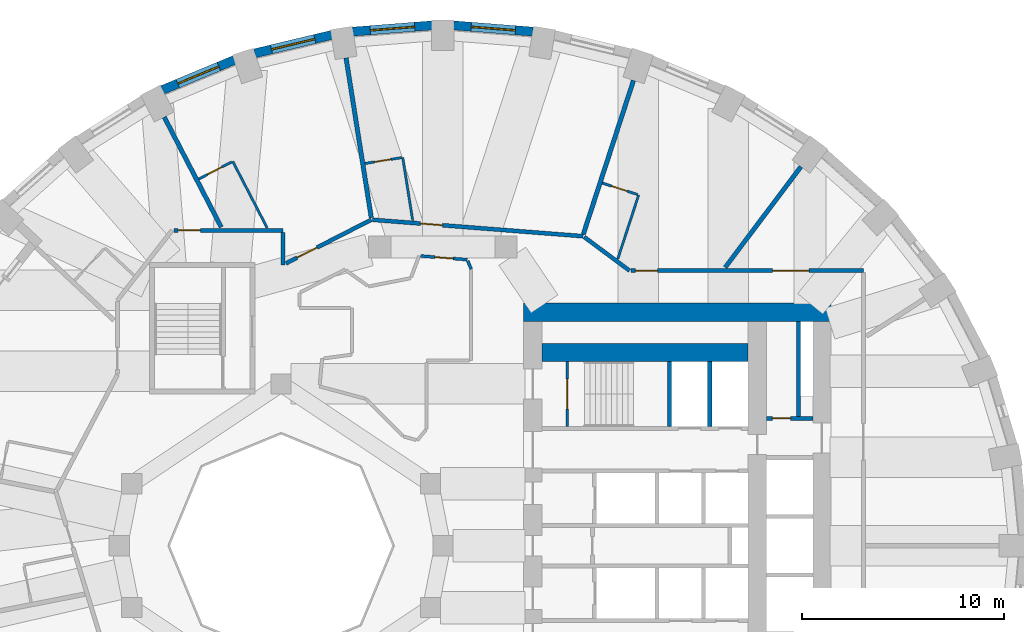
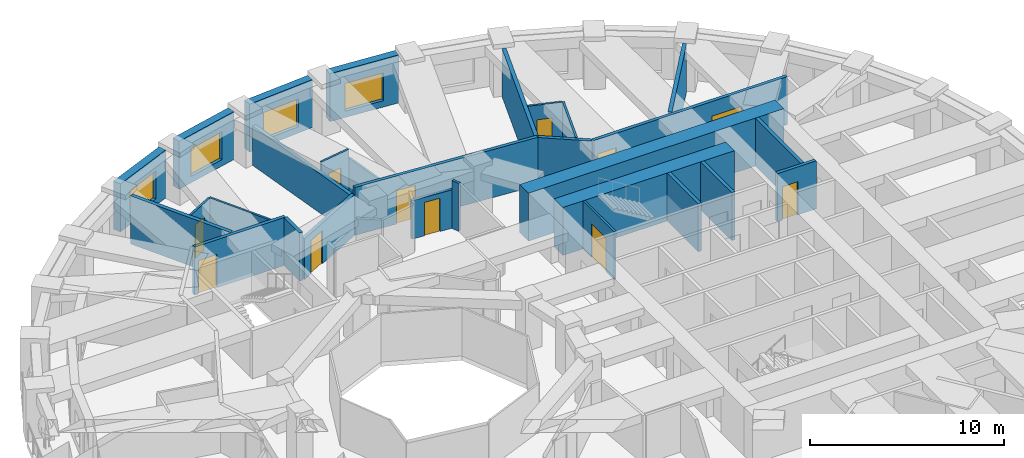
# One storey, part 8 of 13: 29 walls, 11 doors, 4 windows, 15 openings.
"""IFC4 building model written with IfcOpenShell, lengths in metres."""

from ifc_helpers import new_model, si_unit, direction, frame, frame_2d, origin, place, context, subcontext, project, spatial, rectangle, extrude, material, layer, layer_set, type_object, element, fill, save


model = new_model("IFC4")

# Units and contexts
model_context = context("Model", 3, precision=1e-05, world=origin(), true_north=direction((0.0, 1.0)))
body_context = subcontext(model_context, "Body", "Model", "MODEL_VIEW")
ifc_project = project(units=[si_unit("LENGTHUNIT", "METRE"), si_unit("AREAUNIT", "SQUARE_METRE"), si_unit("VOLUMEUNIT", "CUBIC_METRE"), si_unit("PLANEANGLEUNIT", "RADIAN"), si_unit("MASSUNIT", "GRAM", prefix="KILO")], contexts=[model_context])

# Site, building, storey
site_placement = place(None, origin())
site = spatial("IfcSite", under=ifc_project, at=site_placement, CompositionType="ELEMENT")
building_placement = place(site_placement, origin())
building = spatial("IfcBuilding", under=site, at=building_placement, Name="Taillehof Tower", CompositionType="ELEMENT")
storey_placement = place(building_placement, frame((0.0, 0.0, 38.199951171875)))
storey = spatial("IfcBuildingStorey", under=building, at=storey_placement, Name="L09", CompositionType="ELEMENT", Elevation=38.199951171875)

# Wall, opening, window
ifc_material_1 = material(Name="Brick masonry", Category="masonry")
ifc_layer_1 = layer(ifc_material_1, 0.449951171875)
ifc_layer_set_1 = layer_set([ifc_layer_1], Name="Brick infill wall 450")
wall_type_1 = type_object("IfcWallType", Name="Brick infill wall 450", PredefinedType="SOLIDWALL", material=ifc_layer_set_1)
wall_1_placement = place(storey_placement, frame((4.457275390625, 25.42578125, 0.0), z_axis=(0.0, 0.0, 1.0), x_axis=(-0.996955972145, 0.077966592873, 0.0)))
wall_1 = element("IfcWall", 1, at=wall_1_placement, inside=storey, type_object=wall_type_1, Name="Brick wall L09 bay 9", PredefinedType="SOLIDWALL", context=body_context, shape_type="SweptSolid", body=[
    extrude(rectangle(XDim=3.939208984375, YDim=0.449951171875, at=frame_2d((1.9697265625, 0.0))), origin(), (0.0, 0.0, 1.0), 3.02001953125),
])
opening_1_placement = place(wall_1_placement, frame((0.86962890625, 0.0, 0.39990234375)))
opening_1 = element("IfcOpeningElement", 2, at=opening_1_placement, cuts=wall_1, Name="Opening W1", PredefinedType="OPENING", context=body_context, shape_type="SweptSolid", body=[
    extrude(rectangle(XDim=2.199951171875, YDim=1.75, at=frame_2d((1.10009765625, 0.875))), frame((0.0, 0.23486328125, 0.0), z_axis=(0.0, -1.0, 0.0), x_axis=(1.0, 0.0, 0.0)), (0.0, 0.0, 1.0), 0.469970703125),
])
ifc_material_2 = material(Name="Aluminium window frame with clear double glazing", Category="aluminium")
window_type = type_object("IfcWindowType", Name="Deep-set window 2200x1750", PartitioningType="SINGLE_PANEL", PredefinedType="WINDOW", material=ifc_material_2)
window_1_placement = place(opening_1_placement, origin())
window_1 = element("IfcWindow", 3, at=window_1_placement, inside=storey, type_object=window_type, Name="W1", OverallHeight=1.75, OverallWidth=2.199951171875, PartitioningType="SINGLE_PANEL", PredefinedType="WINDOW", context=body_context, shape_type="SweptSolid", body=[
    extrude(rectangle(XDim=2.199951171875, YDim=1.75, at=frame_2d((1.10009765625, 0.875))), frame((0.0, 0.034912109375, 0.0), z_axis=(0.0, -1.0, 0.0), x_axis=(1.0, 0.0, 0.0)), (0.0, 0.0, 1.0), 0.06005859375),
])
fill(opening_1, window_1)

wall_2_placement = place(storey_placement, frame((-0.530029296875, 25.73291015625, 0.0), z_axis=(0.0, 0.0, 1.0), x_axis=(-0.996955972145, -0.077966592873, 0.0)))
wall_2 = element("IfcWall", 4, at=wall_2_placement, inside=storey, type_object=wall_type_1, Name="Brick wall L09 bay 10", PredefinedType="SOLIDWALL", context=body_context, shape_type="SweptSolid", body=[
    extrude(rectangle(XDim=3.939208984375, YDim=0.449951171875, at=frame_2d((1.9697265625, 0.0))), origin(), (0.0, 0.0, 1.0), 3.02001953125),
])
opening_2_placement = place(wall_2_placement, frame((0.86962890625, 0.0, 0.39990234375)))
opening_2 = element("IfcOpeningElement", 5, at=opening_2_placement, cuts=wall_2, Name="Opening W1", PredefinedType="OPENING", context=body_context, shape_type="SweptSolid", body=[
    extrude(rectangle(XDim=2.199951171875, YDim=1.75, at=frame_2d((1.10009765625, 0.875))), frame((0.0, 0.23486328125, 0.0), z_axis=(0.0, -1.0, 0.0), x_axis=(1.0, 0.0, 0.0)), (0.0, 0.0, 1.0), 0.469970703125),
])
window_2_placement = place(opening_2_placement, origin())
window_2 = element("IfcWindow", 6, at=window_2_placement, inside=storey, type_object=window_type, Name="W1", OverallHeight=1.75, OverallWidth=2.199951171875, PartitioningType="SINGLE_PANEL", PredefinedType="WINDOW", context=body_context, shape_type="SweptSolid", body=[
    extrude(rectangle(XDim=2.199951171875, YDim=1.75, at=frame_2d((1.10009765625, 0.875))), frame((0.0, 0.034912109375, 0.0), z_axis=(0.0, -1.0, 0.0), x_axis=(1.0, 0.0, 0.0)), (0.0, 0.0, 1.0), 0.06005859375),
])
fill(opening_2, window_2)

wall_3_placement = place(storey_placement, frame((-5.50439453125, 25.260498046875, 0.0), z_axis=(0.0, 0.0, 1.0), x_axis=(-0.972496561493, -0.232917233979, 0.0)))
wall_3 = element("IfcWall", 7, at=wall_3_placement, inside=storey, type_object=wall_type_1, Name="Brick wall L09 bay 11", PredefinedType="SOLIDWALL", context=body_context, shape_type="SweptSolid", body=[
    extrude(rectangle(XDim=3.910888671875, YDim=0.449951171875, at=frame_2d((1.95556640625, 0.0))), origin(), (0.0, 0.0, 1.0), 3.02001953125),
])
opening_3_placement = place(wall_3_placement, frame((0.855224609375, 0.0, 0.39990234375)))
opening_3 = element("IfcOpeningElement", 8, at=opening_3_placement, cuts=wall_3, Name="Opening W1", PredefinedType="OPENING", context=body_context, shape_type="SweptSolid", body=[
    extrude(rectangle(XDim=2.199951171875, YDim=1.75, at=frame_2d((1.10009765625, 0.875))), frame((0.0, 0.23486328125, 0.0), z_axis=(0.0, -1.0, 0.0), x_axis=(1.0, 0.0, 0.0)), (0.0, 0.0, 1.0), 0.469970703125),
])
window_3_placement = place(opening_3_placement, origin())
window_3 = element("IfcWindow", 9, at=window_3_placement, inside=storey, type_object=window_type, Name="W1", OverallHeight=1.75, OverallWidth=2.199951171875, PartitioningType="SINGLE_PANEL", PredefinedType="WINDOW", context=body_context, shape_type="SweptSolid", body=[
    extrude(rectangle(XDim=2.199951171875, YDim=1.75, at=frame_2d((1.10009765625, 0.875))), frame((0.0, 0.034912109375, 0.0), z_axis=(0.0, -1.0, 0.0), x_axis=(1.0, 0.0, 0.0)), (0.0, 0.0, 1.0), 0.06005859375),
])
fill(opening_3, window_3)

wall_4_placement = place(storey_placement, frame((-10.3154296875, 24.02099609375, 0.0), z_axis=(0.0, 0.0, 1.0), x_axis=(-0.923031964282, -0.384723267966, 0.0)))
wall_4 = element("IfcWall", 10, at=wall_4_placement, inside=storey, type_object=wall_type_1, Name="Brick wall L09 bay 12", PredefinedType="SOLIDWALL", context=body_context, shape_type="SweptSolid", body=[
    extrude(rectangle(XDim=3.8564453125, YDim=0.449951171875, at=frame_2d((1.92822265625, 0.0))), origin(), (0.0, 0.0, 1.0), 3.02001953125),
])
opening_4_placement = place(wall_4_placement, frame((0.828125, 0.0, 0.39990234375)))
opening_4 = element("IfcOpeningElement", 11, at=opening_4_placement, cuts=wall_4, Name="Opening W1", PredefinedType="OPENING", context=body_context, shape_type="SweptSolid", body=[
    extrude(rectangle(XDim=2.199951171875, YDim=1.75, at=frame_2d((1.10009765625, 0.875))), frame((0.0, 0.23486328125, 0.0), z_axis=(0.0, -1.0, 0.0), x_axis=(1.0, 0.0, 0.0)), (0.0, 0.0, 1.0), 0.469970703125),
])
window_4_placement = place(opening_4_placement, origin())
window_4 = element("IfcWindow", 12, at=window_4_placement, inside=storey, type_object=window_type, Name="W1", OverallHeight=1.75, OverallWidth=2.199951171875, PartitioningType="SINGLE_PANEL", PredefinedType="WINDOW", context=body_context, shape_type="SweptSolid", body=[
    extrude(rectangle(XDim=2.199951171875, YDim=1.75, at=frame_2d((1.10009765625, 0.875))), frame((0.0, 0.034912109375, 0.0), z_axis=(0.0, -1.0, 0.0), x_axis=(1.0, 0.0, 0.0)), (0.0, 0.0, 1.0), 0.06005859375),
])
fill(opening_4, window_4)

# Wall, opening, door
ifc_material_3 = material(Name="Calcium silicate masonry", Category="masonry")
ifc_layer_2 = layer(ifc_material_3, 0.199951171875)
ifc_layer_set_2 = layer_set([ifc_layer_2], Name="Compartment wall calcium silicate 200")
wall_type_2 = type_object("IfcWallType", Name="Compartment wall calcium silicate 200", PredefinedType="PARTITIONING", material=ifc_layer_set_2)
wall_5_placement = place(storey_placement, frame((16.0, 6.300048828125, 0.0), z_axis=(0.0, 0.0, 1.0), x_axis=(1.0, 0.0, 0.0)))
wall_5 = element("IfcWall", 13, at=wall_5_placement, inside=storey, type_object=wall_type_2, Name="Compartment wall FW", PredefinedType="PARTITIONING", context=body_context, shape_type="SweptSolid", body=[
    extrude(rectangle(XDim=2.300048828125, YDim=0.199951171875, at=frame_2d((1.14990234375, 0.0))), origin(), (0.0, 0.0, 1.0), 3.02001953125),
])
opening_5_placement = place(wall_5_placement, frame((0.300048828125, 0.0, 0.0)))
opening_5 = element("IfcOpeningElement", 14, at=opening_5_placement, cuts=wall_5, Name="Opening D0916", PredefinedType="OPENING", context=body_context, shape_type="SweptSolid", body=[
    extrude(rectangle(XDim=0.89990234375, YDim=2.10009765625, at=frame_2d((0.449951171875, 1.050048828125))), frame((0.0, 0.10986328125, 0.0), z_axis=(0.0, -1.0, 0.0), x_axis=(1.0, 0.0, 0.0)), (0.0, 0.0, 1.0), 0.219970703125),
])
ifc_material_4 = material(Name="Steel-faced fire door", Category="steel")
door_type_1 = type_object("IfcDoorType", Name="Riser and service room door 900x2100", OperationType="SINGLE_SWING_LEFT", PredefinedType="DOOR", material=ifc_material_4)
door_1_placement = place(opening_5_placement, origin())
door_1 = element("IfcDoor", 15, at=door_1_placement, inside=storey, type_object=door_type_1, Name="Door Linen Store", OperationType="SINGLE_SWING_RIGHT", OverallHeight=2.10009765625, OverallWidth=0.89990234375, PredefinedType="DOOR", context=body_context, shape_type="SweptSolid", body=[
    extrude(rectangle(XDim=0.89990234375, YDim=2.10009765625, at=frame_2d((0.449951171875, 1.050048828125))), frame((0.0, 0.02490234375, 0.0), z_axis=(0.0, -1.0, 0.0), x_axis=(1.0, 0.0, 0.0)), (0.0, 0.0, 1.0), 0.050048828125),
])
fill(opening_5, door_1)

# Wall
wall_6_placement = place(storey_placement, frame((17.60009765625, 6.39990234375, 0.0), z_axis=(0.0, 0.0, 1.0), x_axis=(0.0, 1.0, 0.0)))
element("IfcWall", 16, at=wall_6_placement, inside=storey, type_object=wall_type_2, Name="Compartment wall FW", PredefinedType="PARTITIONING", context=body_context, shape_type="SweptSolid", body=[
    extrude(rectangle(XDim=4.7001953125, YDim=0.199951171875, at=frame_2d((2.35009765625, 0.0))), origin(), (0.0, 0.0, 1.0), 3.02001953125),
])

# Wall, opening, door
ifc_material_5 = material(Name="Gypsum board on steel studs, two layers each side", Category="steel")
ifc_layer_3 = layer(ifc_material_5, 0.199951171875)
ifc_layer_set_3 = layer_set([ifc_layer_3], Name="Compartment wall corridor 200")
wall_type_3 = type_object("IfcWallType", Name="Compartment wall corridor 200", PredefinedType="PARTITIONING", material=ifc_layer_set_3)
wall_7_placement = place(storey_placement, frame((-13.30908203125, 15.60009765625, 0.0), z_axis=(0.0, 0.0, 1.0), x_axis=(1.0, 0.0, 0.0)))
wall_7 = element("IfcWall", 17, at=wall_7_placement, inside=storey, type_object=wall_type_3, Name="Compartment wall", PredefinedType="PARTITIONING", context=body_context, shape_type="SweptSolid", body=[
    extrude(rectangle(XDim=5.4091796875, YDim=0.199951171875, at=frame_2d((2.70458984375, 0.0))), origin(), (0.0, 0.0, 1.0), 3.02001953125),
])
opening_6_placement = place(wall_7_placement, frame((0.219970703125, 0.0, 0.0)))
opening_6 = element("IfcOpeningElement", 18, at=opening_6_placement, cuts=wall_7, Name="Opening D0946", PredefinedType="OPENING", context=body_context, shape_type="SweptSolid", body=[
    extrude(rectangle(XDim=1.10009765625, YDim=2.10009765625, at=frame_2d((0.550048828125, 1.050048828125))), frame((0.0, 0.10986328125, 0.0), z_axis=(0.0, -1.0, 0.0), x_axis=(1.0, 0.0, 0.0)), (0.0, 0.0, 1.0), 0.219970703125),
])
ifc_material_6 = material(Name="Timber door leaf in steel frame", Category="steel")
door_type_2 = type_object("IfcDoorType", Name="Accessible guest room door EI 30 1100 x 2100", OperationType="SINGLE_SWING_LEFT", PredefinedType="DOOR", material=ifc_material_6)
door_2_placement = place(opening_6_placement, origin())
door_2 = element("IfcDoor", 19, at=door_2_placement, inside=storey, type_object=door_type_2, Name="D0946", OperationType="SINGLE_SWING_RIGHT", OverallHeight=2.10009765625, OverallWidth=1.10009765625, PredefinedType="DOOR", context=body_context, shape_type="SweptSolid", body=[
    extrude(rectangle(XDim=1.10009765625, YDim=2.10009765625, at=frame_2d((0.550048828125, 1.050048828125))), frame((0.0, 0.02490234375, 0.0), z_axis=(0.0, -1.0, 0.0), x_axis=(1.0, 0.0, 0.0)), (0.0, 0.0, 1.0), 0.050048828125),
])
fill(opening_6, door_2)

# Wall
wall_8_placement = place(storey_placement, frame((-7.89990234375, 15.5, 0.0), z_axis=(0.0, 0.0, 1.0), x_axis=(0.0, -1.0, 0.0)))
element("IfcWall", 20, at=wall_8_placement, inside=storey, type_object=wall_type_3, Name="Compartment wall", PredefinedType="PARTITIONING", context=body_context, shape_type="SweptSolid", body=[
    extrude(rectangle(XDim=1.609619140625, YDim=0.199951171875, at=frame_2d((0.8046875, 0.0))), origin(), (0.0, 0.0, 1.0), 3.02001953125),
])

# Wall, opening, door
wall_9_placement = place(storey_placement, frame((-7.75732421875, 13.962646484375, 0.0), z_axis=(0.0, 0.0, 1.0), x_axis=(0.89017531408, 0.455618162722, 0.0)))
wall_9 = element("IfcWall", 21, at=wall_9_placement, inside=storey, type_object=wall_type_3, Name="Compartment wall", PredefinedType="PARTITIONING", context=body_context, shape_type="SweptSolid", body=[
    extrude(rectangle(XDim=4.7412109375, YDim=0.199951171875, at=frame_2d((2.37060546875, 0.0))), origin(), (0.0, 0.0, 1.0), 2.570068359375),
])
opening_7_placement = place(wall_9_placement, frame((0.6201171875, 0.0, 0.0)))
opening_7 = element("IfcOpeningElement", 22, at=opening_7_placement, cuts=wall_9, Name="Opening D0944", PredefinedType="OPENING", context=body_context, shape_type="SweptSolid", body=[
    extrude(rectangle(XDim=1.10009765625, YDim=2.10009765625, at=frame_2d((0.550048828125, 1.050048828125))), frame((0.0, 0.10986328125, 0.0), z_axis=(0.0, -1.0, 0.0), x_axis=(1.0, 0.0, 0.0)), (0.0, 0.0, 1.0), 0.219970703125),
])
ifc_material_7 = material(Name="Timber door leaf in steel frame", Category="steel")
door_type_3 = type_object("IfcDoorType", Name="Suite entrance door EI 30 1100 x 2100", OperationType="SINGLE_SWING_LEFT", PredefinedType="DOOR", material=ifc_material_7)
door_3_placement = place(opening_7_placement, origin())
door_3 = element("IfcDoor", 23, at=door_3_placement, inside=storey, type_object=door_type_3, Name="D0944", OperationType="SINGLE_SWING_LEFT", OverallHeight=2.10009765625, OverallWidth=1.10009765625, PredefinedType="DOOR", context=body_context, shape_type="SweptSolid", body=[
    extrude(rectangle(XDim=1.10009765625, YDim=2.10009765625, at=frame_2d((0.550048828125, 1.050048828125))), frame((0.0, 0.02490234375, 0.0), z_axis=(0.0, -1.0, 0.0), x_axis=(1.0, 0.0, 0.0)), (0.0, 0.0, 1.0), 0.050048828125),
])
fill(opening_7, door_3)

wall_10_placement = place(storey_placement, frame((-3.476806640625, 16.118408203125, 0.0), z_axis=(0.0, 0.0, 1.0), x_axis=(0.996970328684, -0.077782798383, 0.0)))
wall_10 = element("IfcWall", 24, at=wall_10_placement, inside=storey, type_object=wall_type_3, Name="Compartment wall", PredefinedType="PARTITIONING", context=body_context, shape_type="SweptSolid", body=[
    extrude(rectangle(XDim=10.448974609375, YDim=0.199951171875, at=frame_2d((5.224609375, 0.0))), origin(), (0.0, 0.0, 1.0), 3.02001953125),
])
opening_8_placement = place(wall_10_placement, frame((2.372314453125, 0.0, 0.0)))
opening_8 = element("IfcOpeningElement", 25, at=opening_8_placement, cuts=wall_10, Name="Opening D0942", PredefinedType="OPENING", context=body_context, shape_type="SweptSolid", body=[
    extrude(rectangle(XDim=1.10009765625, YDim=2.10009765625, at=frame_2d((0.550048828125, 1.050048828125))), frame((0.0, 0.10986328125, 0.0), z_axis=(0.0, -1.0, 0.0), x_axis=(1.0, 0.0, 0.0)), (0.0, 0.0, 1.0), 0.219970703125),
])
door_4_placement = place(opening_8_placement, origin())
door_4 = element("IfcDoor", 26, at=door_4_placement, inside=storey, type_object=door_type_3, Name="D0942", OperationType="SINGLE_SWING_LEFT", OverallHeight=2.10009765625, OverallWidth=1.10009765625, PredefinedType="DOOR", context=body_context, shape_type="SweptSolid", body=[
    extrude(rectangle(XDim=1.10009765625, YDim=2.10009765625, at=frame_2d((0.550048828125, 1.050048828125))), frame((0.0, 0.02490234375, 0.0), z_axis=(0.0, -1.0, 0.0), x_axis=(1.0, 0.0, 0.0)), (0.0, 0.0, 1.0), 0.050048828125),
])
fill(opening_8, door_4)

# Wall
wall_11_placement = place(storey_placement, frame((6.98876953125, 15.269775390625, 0.0), z_axis=(0.0, 0.0, 1.0), x_axis=(0.8028261118, -0.596213245586, 0.0)))
element("IfcWall", 27, at=wall_11_placement, inside=storey, type_object=wall_type_3, Name="Compartment wall", PredefinedType="PARTITIONING", context=body_context, shape_type="SweptSolid", body=[
    extrude(rectangle(XDim=2.800537109375, YDim=0.199951171875, at=frame_2d((1.400390625, 0.0))), origin(), (0.0, 0.0, 1.0), 3.02001953125),
])

# Wall, openings, doors
wall_12_placement = place(storey_placement, frame((9.297119140625, 13.60009765625, 0.0), z_axis=(0.0, 0.0, 1.0), x_axis=(1.0, 0.0, 0.0)))
wall_12 = element("IfcWall", 28, at=wall_12_placement, inside=storey, type_object=wall_type_3, Name="Compartment wall", PredefinedType="PARTITIONING", context=body_context, shape_type="SweptSolid", body=[
    extrude(rectangle(XDim=11.5029296875, YDim=0.199951171875, at=frame_2d((5.75146484375, 0.0))), origin(), (0.0, 0.0, 1.0), 3.02001953125),
])
opening_9_placement = place(wall_12_placement, frame((0.219970703125, 0.0, 0.0)))
opening_9 = element("IfcOpeningElement", 29, at=opening_9_placement, cuts=wall_12, Name="Opening D0940", PredefinedType="OPENING", context=body_context, shape_type="SweptSolid", body=[
    extrude(rectangle(XDim=1.10009765625, YDim=2.10009765625, at=frame_2d((0.550048828125, 1.050048828125))), frame((0.0, 0.10986328125, 0.0), z_axis=(0.0, -1.0, 0.0), x_axis=(1.0, 0.0, 0.0)), (0.0, 0.0, 1.0), 0.219970703125),
])
opening_10_placement = place(wall_12_placement, frame((7.012939453125, 0.0, 0.0)))
opening_10 = element("IfcOpeningElement", 30, at=opening_10_placement, cuts=wall_12, Name="Opening D0965", PredefinedType="OPENING", context=body_context, shape_type="SweptSolid", body=[
    extrude(rectangle(XDim=1.800048828125, YDim=2.10009765625, at=frame_2d((0.89990234375, 1.050048828125))), frame((0.0, 0.10986328125, 0.0), z_axis=(0.0, -1.0, 0.0), x_axis=(1.0, 0.0, 0.0)), (0.0, 0.0, 1.0), 0.219970703125),
])
ifc_material_8 = material(Name="Timber door leaf in steel frame", Category="steel")
door_type_4 = type_object("IfcDoorType", Name="Lounge and meeting room double door EI 30 1800 x 2100", OperationType="SINGLE_SWING_LEFT", PredefinedType="DOOR", material=ifc_material_8)
door_5_placement = place(opening_10_placement, origin())
door_5 = element("IfcDoor", 31, at=door_5_placement, inside=storey, type_object=door_type_4, Name="D0965", OperationType="DOUBLE_DOOR_SINGLE_SWING", OverallHeight=2.10009765625, OverallWidth=1.800048828125, PredefinedType="DOOR", context=body_context, shape_type="SweptSolid", body=[
    extrude(rectangle(XDim=1.800048828125, YDim=2.10009765625, at=frame_2d((0.89990234375, 1.050048828125))), frame((0.0, 0.02490234375, 0.0), z_axis=(0.0, -1.0, 0.0), x_axis=(1.0, 0.0, 0.0)), (0.0, 0.0, 1.0), 0.050048828125),
])
fill(opening_10, door_5)
door_6_placement = place(opening_9_placement, origin())
door_6 = element("IfcDoor", 32, at=door_6_placement, inside=storey, type_object=door_type_3, Name="D0940", OperationType="SINGLE_SWING_LEFT", OverallHeight=2.10009765625, OverallWidth=1.10009765625, PredefinedType="DOOR", context=body_context, shape_type="SweptSolid", body=[
    extrude(rectangle(XDim=1.10009765625, YDim=2.10009765625, at=frame_2d((0.550048828125, 1.050048828125))), frame((0.0, 0.02490234375, 0.0), z_axis=(0.0, -1.0, 0.0), x_axis=(1.0, 0.0, 0.0)), (0.0, 0.0, 1.0), 0.050048828125),
])
fill(opening_9, door_6)

# Walls
ifc_material_9 = material(Name="Gypsum board on double steel studs with mineral wool", Category="steel")
ifc_layer_4 = layer(ifc_material_9, 0.219970703125)
ifc_layer_set_4 = layer_set([ifc_layer_4], Name="Compartment wall guest room 220")
wall_type_4 = type_object("IfcWallType", Name="Compartment wall guest room 220", PredefinedType="PARTITIONING", material=ifc_layer_set_4)
wall_13_placement = place(storey_placement, frame((17.707763671875, 18.7431640625, 0.0), z_axis=(0.0, 0.0, 1.0), x_axis=(-0.601177883261, -0.799115231164, 0.0)))
element("IfcWall", 33, at=wall_13_placement, inside=storey, type_object=wall_type_4, Name="Compartment wall", PredefinedType="PARTITIONING", context=body_context, shape_type="SweptSolid", body=[
    extrude(rectangle(XDim=6.231201171875, YDim=0.219970703125, at=frame_2d((3.11572265625, 0.0))), origin(), (0.0, 0.0, 1.0), 3.02001953125),
])
wall_14_placement = place(storey_placement, frame((9.429443359375, 23.01416015625, 0.0), z_axis=(0.0, 0.0, 1.0), x_axis=(-0.310227384954, -0.950662384669, 0.0)))
element("IfcWall", 34, at=wall_14_placement, inside=storey, type_object=wall_type_4, Name="Compartment wall", PredefinedType="PARTITIONING", context=body_context, shape_type="SweptSolid", body=[
    extrude(rectangle(XDim=8.00341796875, YDim=0.219970703125, at=frame_2d((4.001708984375, 0.0))), origin(), (0.0, 0.0, 1.0), 3.02001953125),
])
wall_15_placement = place(storey_placement, frame((-4.788330078125, 24.12548828125, 0.0), z_axis=(0.0, 0.0, 1.0), x_axis=(0.156108238506, -0.987739954578, 0.0)))
element("IfcWall", 35, at=wall_15_placement, inside=storey, type_object=wall_type_4, Name="Compartment wall", PredefinedType="PARTITIONING", context=body_context, shape_type="SweptSolid", body=[
    extrude(rectangle(XDim=8.004150390625, YDim=0.219970703125, at=frame_2d((4.001953125, 0.0))), origin(), (0.0, 0.0, 1.0), 2.469970703125),
])
wall_16_placement = place(storey_placement, frame((-13.7802734375, 21.201171875, 0.0), z_axis=(0.0, 0.0, 1.0), x_axis=(0.459699000582, -0.888074787878, 0.0)))
element("IfcWall", 36, at=wall_16_placement, inside=storey, type_object=wall_type_4, Name="Compartment wall", PredefinedType="PARTITIONING", context=body_context, shape_type="SweptSolid", body=[
    extrude(rectangle(XDim=6.134033203125, YDim=0.219970703125, at=frame_2d((3.06689453125, 0.0))), origin(), (0.0, 0.0, 1.0), 3.02001953125),
])

# Wall, opening, door
ifc_material_10 = material(Name="Gypsum board on steel studs, two layers each side", Category="steel")
ifc_layer_5 = layer(ifc_material_10, 0.14990234375)
ifc_layer_set_5 = layer_set([ifc_layer_5], Name="Compartment wall service room 150")
wall_type_5 = type_object("IfcWallType", Name="Compartment wall service room 150", PredefinedType="PARTITIONING", material=ifc_layer_set_5)
wall_17_placement = place(storey_placement, frame((-1.095703125, 14.327880859375, 0.0), z_axis=(0.0, 0.0, 1.0), x_axis=(0.996959190057, -0.077925434624, 0.0)))
wall_17 = element("IfcWall", 37, at=wall_17_placement, inside=storey, type_object=wall_type_5, Name="Compartment wall", PredefinedType="PARTITIONING", context=body_context, shape_type="SweptSolid", body=[
    extrude(rectangle(XDim=2.30908203125, YDim=0.14990234375, at=frame_2d((1.154541015625, 0.0))), origin(), (0.0, 0.0, 1.0), 2.420166015625),
])
opening_11_placement = place(wall_17_placement, frame((0.70458984375, 0.0, 0.0)))
opening_11 = element("IfcOpeningElement", 38, at=opening_11_placement, cuts=wall_17, Name="Opening D0966", PredefinedType="OPENING", context=body_context, shape_type="SweptSolid", body=[
    extrude(rectangle(XDim=0.89990234375, YDim=2.10009765625, at=frame_2d((0.449951171875, 1.050048828125))), frame((0.0, 0.0849609375, 0.0), z_axis=(0.0, -1.0, 0.0), x_axis=(1.0, 0.0, 0.0)), (0.0, 0.0, 1.0), 0.169921875),
])
ifc_material_11 = material(Name="Timber door leaf in steel frame", Category="steel")
door_type_5 = type_object("IfcDoorType", Name="Service room door EI 30 900 x 2100", OperationType="SINGLE_SWING_LEFT", PredefinedType="DOOR", material=ifc_material_11)
door_7_placement = place(opening_11_placement, origin())
door_7 = element("IfcDoor", 39, at=door_7_placement, inside=storey, type_object=door_type_5, Name="D0966", OperationType="SINGLE_SWING_LEFT", OverallHeight=2.10009765625, OverallWidth=0.89990234375, PredefinedType="DOOR", context=body_context, shape_type="SweptSolid", body=[
    extrude(rectangle(XDim=0.89990234375, YDim=2.10009765625, at=frame_2d((0.449951171875, 1.050048828125))), frame((0.0, 0.02490234375, 0.0), z_axis=(0.0, -1.0, 0.0), x_axis=(1.0, 0.0, 0.0)), (0.0, 0.0, 1.0), 0.050048828125),
])
fill(opening_11, door_7)

# Walls
wall_18_placement = place(storey_placement, frame((1.22900390625, 14.09228515625, 0.0), z_axis=(0.0, 0.0, 1.0), x_axis=(0.38344820197, -0.923562383603, 0.0)))
element("IfcWall", 40, at=wall_18_placement, inside=storey, type_object=wall_type_5, Name="Compartment wall", PredefinedType="PARTITIONING", context=body_context, shape_type="SweptSolid", body=[
    extrude(rectangle(XDim=0.44580078125, YDim=0.14990234375, at=frame_2d((0.222900390625, 0.0))), origin(), (0.0, 0.0, 1.0), 3.02001953125),
])
ifc_material_12 = material(Name="Concrete C80/95", Category="concrete")
ifc_layer_6 = layer(ifc_material_12, 0.89990234375)
ifc_layer_set_6 = layer_set([ifc_layer_6], Name="Core wall C80/95 900")
wall_type_6 = type_object("IfcWallType", Name="Core wall C80/95 900", PredefinedType="SHEAR", material=ifc_layer_set_6)
wall_19_placement = place(storey_placement, frame((4.0, 11.550048828125, 0.0), z_axis=(0.0, 0.0, 1.0), x_axis=(1.0, 0.0, 0.0)))
element("IfcWall", 41, at=wall_19_placement, inside=storey, type_object=wall_type_6, Name="Core wall CW03", PredefinedType="SHEAR", context=body_context, shape_type="SweptSolid", body=[
    extrude(rectangle(XDim=15.199951171875, YDim=0.89990234375, at=frame_2d((7.60009765625, 0.0))), origin(), (0.0, 0.0, 1.0), 3.02001953125),
])
wall_20_placement = place(storey_placement, frame((4.89990234375, 9.550048828125, 0.0), z_axis=(0.0, 0.0, 1.0), x_axis=(1.0, 0.0, 0.0)))
element("IfcWall", 42, at=wall_20_placement, inside=storey, type_object=wall_type_6, Name="Core wall CW06", PredefinedType="SHEAR", context=body_context, shape_type="SweptSolid", body=[
    extrude(rectangle(XDim=10.2001953125, YDim=0.89990234375, at=frame_2d((5.10009765625, 0.0))), origin(), (0.0, 0.0, 1.0), 3.02001953125),
])
ifc_material_13 = material(Name="Gypsum board on steel studs, moisture resistant", Category="steel")
ifc_layer_7 = layer(ifc_material_13, 0.1201171875)
ifc_layer_set_7 = layer_set([ifc_layer_7], Name="En-suite wall 120")
wall_type_7 = type_object("IfcWallType", Name="En-suite wall 120", PredefinedType="PARTITIONING", material=ifc_layer_set_7)
wall_21_placement = place(storey_placement, frame((8.6513671875, 14.18310546875, 0.0), z_axis=(0.0, 0.0, 1.0), x_axis=(0.310239544913, 0.950658416453, 0.0)))
element("IfcWall", 43, at=wall_21_placement, inside=storey, type_object=wall_type_7, Name="En-suite wall", PredefinedType="PARTITIONING", context=body_context, shape_type="SweptSolid", body=[
    extrude(rectangle(XDim=3.330322265625, YDim=0.1201171875, at=frame_2d((1.6650390625, 0.0))), origin(), (0.0, 0.0, 1.0), 3.02001953125),
])
wall_22_placement = place(storey_placement, frame((-1.492431640625, 16.083251953125, 0.0), z_axis=(0.0, 0.0, 1.0), x_axis=(-0.156073831214, 0.987745391895, 0.0)))
element("IfcWall", 44, at=wall_22_placement, inside=storey, type_object=wall_type_7, Name="En-suite wall", PredefinedType="PARTITIONING", context=body_context, shape_type="SweptSolid", body=[
    extrude(rectangle(XDim=3.155029296875, YDim=0.1201171875, at=frame_2d((1.57763671875, 0.0))), origin(), (0.0, 0.0, 1.0), 2.469970703125),
])
wall_23_placement = place(storey_placement, frame((-8.68994140625, 15.718017578125, 0.0), z_axis=(0.0, 0.0, 1.0), x_axis=(-0.45967225044, 0.888088634189, 0.0)))
element("IfcWall", 45, at=wall_23_placement, inside=storey, type_object=wall_type_7, Name="En-suite wall", PredefinedType="PARTITIONING", context=body_context, shape_type="SweptSolid", body=[
    extrude(rectangle(XDim=3.702392578125, YDim=0.1201171875, at=frame_2d((1.85107421875, 0.0))), origin(), (0.0, 0.0, 1.0), 3.02001953125),
])

# Wall, opening, door
wall_24_placement = place(storey_placement, frame((9.62744140625, 17.36767578125, 0.0), z_axis=(0.0, 0.0, 1.0), x_axis=(-0.950678536911, 0.31017788357, 0.0)))
wall_24 = element("IfcWall", 46, at=wall_24_placement, inside=storey, type_object=wall_type_7, Name="En-suite wall", PredefinedType="PARTITIONING", context=body_context, shape_type="SweptSolid", body=[
    extrude(rectangle(XDim=1.830078125, YDim=0.1201171875, at=frame_2d((0.9150390625, 0.0))), origin(), (0.0, 0.0, 1.0), 3.02001953125),
])
opening_12_placement = place(wall_24_placement, frame((0.5400390625, 0.0, 0.0)))
opening_12 = element("IfcOpeningElement", 47, at=opening_12_placement, cuts=wall_24, Name="Opening D0941", PredefinedType="OPENING", context=body_context, shape_type="SweptSolid", body=[
    extrude(rectangle(XDim=0.800048828125, YDim=2.10009765625, at=frame_2d((0.39990234375, 1.050048828125))), frame((0.0, 0.070068359375, 0.0), z_axis=(0.0, -1.0, 0.0), x_axis=(1.0, 0.0, 0.0)), (0.0, 0.0, 1.0), 0.14013671875),
])
ifc_material_14 = material(Name="Timber door leaf in steel frame", Category="steel")
door_type_6 = type_object("IfcDoorType", Name="En-suite door 800 x 2100", OperationType="SINGLE_SWING_LEFT", PredefinedType="DOOR", material=ifc_material_14)
door_8_placement = place(opening_12_placement, origin())
door_8 = element("IfcDoor", 48, at=door_8_placement, inside=storey, type_object=door_type_6, Name="D0941", OperationType="SINGLE_SWING_LEFT", OverallHeight=2.10009765625, OverallWidth=0.800048828125, PredefinedType="DOOR", context=body_context, shape_type="SweptSolid", body=[
    extrude(rectangle(XDim=0.800048828125, YDim=2.10009765625, at=frame_2d((0.39990234375, 1.050048828125))), frame((0.0, 0.02490234375, 0.0), z_axis=(0.0, -1.0, 0.0), x_axis=(1.0, 0.0, 0.0)), (0.0, 0.0, 1.0), 0.050048828125),
])
fill(opening_12, door_8)

wall_25_placement = place(storey_placement, frame((-2.044189453125, 19.1904296875, 0.0), z_axis=(0.0, 0.0, 1.0), x_axis=(-0.987722911621, -0.15621603586, 0.0)))
wall_25 = element("IfcWall", 49, at=wall_25_placement, inside=storey, type_object=wall_type_7, Name="En-suite wall", PredefinedType="PARTITIONING", context=body_context, shape_type="SweptSolid", body=[
    extrude(rectangle(XDim=1.830078125, YDim=0.1201171875, at=frame_2d((0.9150390625, 0.0))), origin(), (0.0, 0.0, 1.0), 3.02001953125),
])
opening_13_placement = place(wall_25_placement, frame((0.5400390625, 0.0, 0.0)))
opening_13 = element("IfcOpeningElement", 50, at=opening_13_placement, cuts=wall_25, Name="Opening D0943", PredefinedType="OPENING", context=body_context, shape_type="SweptSolid", body=[
    extrude(rectangle(XDim=0.800048828125, YDim=2.10009765625, at=frame_2d((0.39990234375, 1.050048828125))), frame((0.0, 0.070068359375, 0.0), z_axis=(0.0, -1.0, 0.0), x_axis=(1.0, 0.0, 0.0)), (0.0, 0.0, 1.0), 0.14013671875),
])
door_9_placement = place(opening_13_placement, origin())
door_9 = element("IfcDoor", 51, at=door_9_placement, inside=storey, type_object=door_type_6, Name="D0943", OperationType="SINGLE_SWING_LEFT", OverallHeight=2.10009765625, OverallWidth=0.800048828125, PredefinedType="DOOR", context=body_context, shape_type="SweptSolid", body=[
    extrude(rectangle(XDim=0.800048828125, YDim=2.10009765625, at=frame_2d((0.39990234375, 1.050048828125))), frame((0.0, 0.02490234375, 0.0), z_axis=(0.0, -1.0, 0.0), x_axis=(1.0, 0.0, 0.0)), (0.0, 0.0, 1.0), 0.050048828125),
])
fill(opening_13, door_9)

wall_26_placement = place(storey_placement, frame((-10.4453125, 18.978271484375, 0.0), z_axis=(0.0, 0.0, 1.0), x_axis=(-0.888095574179, -0.459658842104, 0.0)))
wall_26 = element("IfcWall", 52, at=wall_26_placement, inside=storey, type_object=wall_type_7, Name="En-suite wall", PredefinedType="PARTITIONING", context=body_context, shape_type="SweptSolid", body=[
    extrude(rectangle(XDim=1.829833984375, YDim=0.1201171875, at=frame_2d((0.9150390625, 0.0))), origin(), (0.0, 0.0, 1.0), 3.02001953125),
])
opening_14_placement = place(wall_26_placement, frame((0.539794921875, 0.0, 0.0)))
opening_14 = element("IfcOpeningElement", 53, at=opening_14_placement, cuts=wall_26, Name="Opening D0945", PredefinedType="OPENING", context=body_context, shape_type="SweptSolid", body=[
    extrude(rectangle(XDim=0.800048828125, YDim=2.10009765625, at=frame_2d((0.39990234375, 1.050048828125))), frame((0.0, 0.070068359375, 0.0), z_axis=(0.0, -1.0, 0.0), x_axis=(1.0, 0.0, 0.0)), (0.0, 0.0, 1.0), 0.14013671875),
])
door_10_placement = place(opening_14_placement, origin())
door_10 = element("IfcDoor", 54, at=door_10_placement, inside=storey, type_object=door_type_6, Name="D0945", OperationType="SINGLE_SWING_LEFT", OverallHeight=2.10009765625, OverallWidth=0.800048828125, PredefinedType="DOOR", context=body_context, shape_type="SweptSolid", body=[
    extrude(rectangle(XDim=0.800048828125, YDim=2.10009765625, at=frame_2d((0.39990234375, 1.050048828125))), frame((0.0, 0.02490234375, 0.0), z_axis=(0.0, -1.0, 0.0), x_axis=(1.0, 0.0, 0.0)), (0.0, 0.0, 1.0), 0.050048828125),
])
fill(opening_14, door_10)

# Walls
ifc_material_15 = material(Name="Concrete C50/60", Category="concrete")
ifc_layer_8 = layer(ifc_material_15, 0.199951171875)
ifc_layer_set_8 = layer_set([ifc_layer_8], Name="Shaft wall C50/60 200")
wall_type_8 = type_object("IfcWallType", Name="Shaft wall C50/60 200", PredefinedType="SHEAR", material=ifc_layer_set_8)
for number, where, z_axis, x_axis, name in (
    (55, (11.199951171875, 5.89990234375, 0.0), (0.0, 0.0, 1.0), (0.0, 1.0, 0.0), "Shaft wall SW"),
    (56, (13.199951171875, 5.89990234375, 0.0), (0.0, 0.0, 1.0), (0.0, 1.0, 0.0), "Shaft wall SW"),
):
    element("IfcWall", number, at=place(storey_placement, frame(where, z_axis=z_axis, x_axis=x_axis)), inside=storey, type_object=wall_type_8, Name=name, PredefinedType="SHEAR", context=body_context, shape_type="SweptSolid", body=[
        extrude(rectangle(XDim=3.2001953125, YDim=0.199951171875, at=frame_2d((1.60009765625, 0.0))), origin(), (0.0, 0.0, 1.0), 3.02001953125),
    ])

# Wall, opening, door
ifc_material_16 = material(Name="Concrete C50/60", Category="concrete")
ifc_layer_9 = layer(ifc_material_16, 0.1201171875)
ifc_layer_set_9 = layer_set([ifc_layer_9], Name="Stair lobby wall C50/60 120")
wall_type_9 = type_object("IfcWallType", Name="Stair lobby wall C50/60 120", PredefinedType="SHEAR", material=ifc_layer_set_9)
wall_27_placement = place(storey_placement, frame((6.159912109375, 5.89990234375, 0.0), z_axis=(0.0, 0.0, 1.0), x_axis=(0.0, 1.0, 0.0)))
wall_27 = element("IfcWall", 57, at=wall_27_placement, inside=storey, type_object=wall_type_9, Name="Compartment wall SW", PredefinedType="SHEAR", context=body_context, shape_type="SweptSolid", body=[
    extrude(rectangle(XDim=3.2001953125, YDim=0.1201171875, at=frame_2d((1.60009765625, 0.0))), origin(), (0.0, 0.0, 1.0), 3.02001953125),
])
opening_15_placement = place(wall_27_placement, frame((0.85009765625, 0.0, 0.0)))
opening_15 = element("IfcOpeningElement", 58, at=opening_15_placement, cuts=wall_27, Name="Opening D0910", PredefinedType="OPENING", context=body_context, shape_type="SweptSolid", body=[
    extrude(rectangle(XDim=1.5, YDim=2.10009765625, at=frame_2d((0.75, 1.050048828125))), frame((0.0, 0.070068359375, 0.0), z_axis=(0.0, -1.0, 0.0), x_axis=(1.0, 0.0, 0.0)), (0.0, 0.0, 1.0), 0.14013671875),
])
ifc_material_17 = material(Name="Steel-faced fire door", Category="steel")
door_type_7 = type_object("IfcDoorType", Name="Stair door 1500x2100", OperationType="DOUBLE_DOOR_SINGLE_SWING", PredefinedType="DOOR", material=ifc_material_17)
door_11_placement = place(opening_15_placement, origin())
door_11 = element("IfcDoor", 59, at=door_11_placement, inside=storey, type_object=door_type_7, Name="Stair lobby door S1", OperationType="DOUBLE_DOOR_SINGLE_SWING", OverallHeight=2.10009765625, OverallWidth=1.5, PredefinedType="DOOR", context=body_context, shape_type="SweptSolid", body=[
    extrude(rectangle(XDim=1.5, YDim=2.10009765625, at=frame_2d((0.75, 1.050048828125))), frame((0.0, 0.02490234375, 0.0), z_axis=(0.0, -1.0, 0.0), x_axis=(1.0, 0.0, 0.0)), (0.0, 0.0, 1.0), 0.050048828125),
])
fill(opening_15, door_11)

save(model, "model.ifc")
